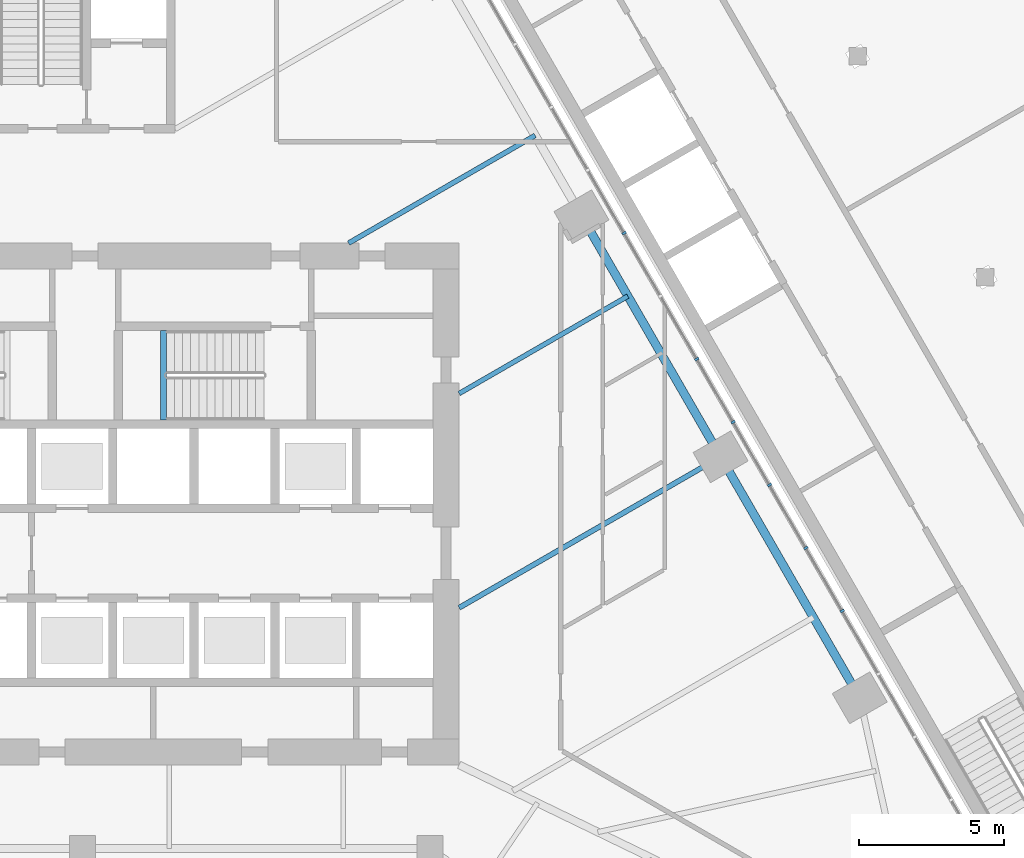
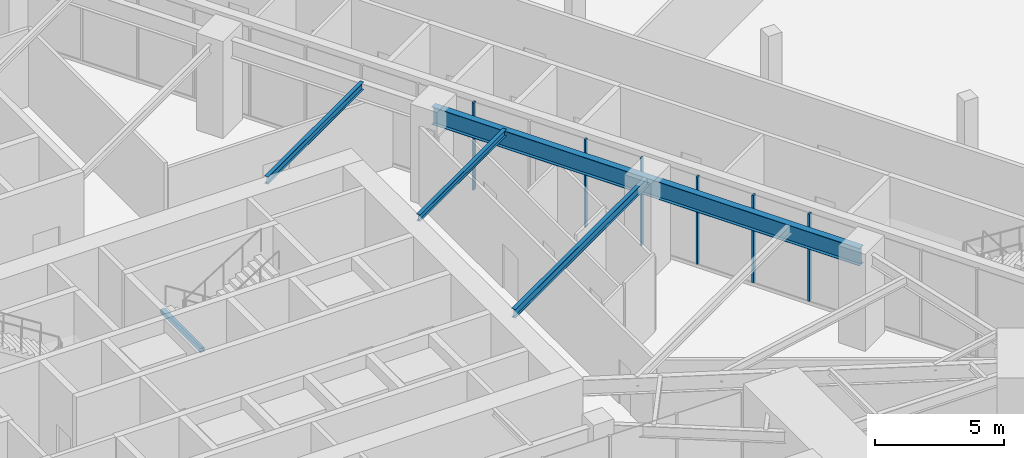
# One storey, part 8 of 29: 6 members, 5 beams, 1 element without a shape of its own.
"""IFC4 building model written with IfcOpenShell, lengths in metres."""

from ifc_helpers import new_model, si_unit, direction, frame, origin, origin_2d, place, context, subcontext, project, spatial, rectangle, i_section, extrude, material, layer, layer_set, material_profile, profile_set, type_object, element, aggregate, save


model = new_model("IFC4")

# Units and contexts
model_context = context("Model", 3, precision=1e-05, world=origin(), true_north=direction((0.0, 1.0)))
body_context = subcontext(model_context, "Body", "Model", "MODEL_VIEW")
ifc_project = project(units=[si_unit("LENGTHUNIT", "METRE"), si_unit("AREAUNIT", "SQUARE_METRE"), si_unit("VOLUMEUNIT", "CUBIC_METRE"), si_unit("PLANEANGLEUNIT", "RADIAN"), si_unit("MASSUNIT", "GRAM", prefix="KILO")], contexts=[model_context])

# Site, building, storey
site_placement = place(None, origin())
site = spatial("IfcSite", under=ifc_project, at=site_placement, CompositionType="ELEMENT")
building_placement = place(site_placement, origin())
building = spatial("IfcBuilding", under=site, at=building_placement, Name="Firuza Gate Tower and Library", CompositionType="ELEMENT")
storey_placement = place(building_placement, frame((0.0, 0.0, 17.199951171875)))
storey = spatial("IfcBuildingStorey", under=building, at=storey_placement, Name="L03", CompositionType="ELEMENT", Elevation=17.199951171875)

# Curtain wall, members
ifc_material_1 = material(Name="Aluminium 6063-T6", Category="aluminium")
ifc_layer = layer(ifc_material_1, 0.14990234375)
ifc_layer_set = layer_set([ifc_layer], Name="Stick curtain wall, podium")
curtain_wall_type = type_object("IfcCurtainWallType", Name="Stick curtain wall, podium", PredefinedType="NOTDEFINED", material=ifc_layer_set)
curtain_wall_placement = place(storey_placement, origin())
curtain_wall = element("IfcCurtainWall", 1, at=curtain_wall_placement, inside=storey, type_object=curtain_wall_type, Name="CW5 L03 E", PredefinedType="NOTDEFINED")
ifc_material_2 = material(Name="Aluminium 6063-T6", Category="aluminium")
ifc_material_profile_1 = material_profile(ifc_material_2, rectangle(XDim=0.14990234375, YDim=0.080078125, at=origin_2d()))
ifc_profile_set_1 = profile_set([ifc_material_profile_1], Name="Aluminium 6063-T6")
member_type = type_object("IfcMemberType", Name="Curtain wall mullion 80x150", PredefinedType="MULLION", material=ifc_profile_set_1)
member_1_placement = place(storey_placement, frame((101.21630859375, 71.311279296875, 0.150146484375), z_axis=(0.0, 0.0, 1.0), x_axis=(-0.866025403784, -0.5, 0.0)))
member_1 = element("IfcMember", 2, at=member_1_placement, type_object=member_type, Name="Mullion", PredefinedType="MULLION", context=body_context, shape_type="SweptSolid", body=[
    extrude(rectangle(XDim=0.14990234375, YDim=0.080078125, at=origin_2d()), origin(), (0.0, 0.0, 1.0), 4.14990234375),
])
member_2_placement = place(storey_placement, frame((99.962158203125, 73.4833984375, 0.150146484375), z_axis=(0.0, 0.0, 1.0), x_axis=(-0.866025403784, -0.5, 0.0)))
member_2 = element("IfcMember", 3, at=member_2_placement, type_object=member_type, Name="Mullion", PredefinedType="MULLION", context=body_context, shape_type="SweptSolid", body=[
    extrude(rectangle(XDim=0.14990234375, YDim=0.080078125, at=origin_2d()), origin(), (0.0, 0.0, 1.0), 4.14990234375),
])
member_3_placement = place(storey_placement, frame((98.708251953125, 75.655517578125, 0.150146484375), z_axis=(0.0, 0.0, 1.0), x_axis=(-0.866025403784, -0.5, 0.0)))
member_3 = element("IfcMember", 4, at=member_3_placement, type_object=member_type, Name="Mullion", PredefinedType="MULLION", context=body_context, shape_type="SweptSolid", body=[
    extrude(rectangle(XDim=0.14990234375, YDim=0.080078125, at=origin_2d()), origin(), (0.0, 0.0, 1.0), 4.14990234375),
])
member_4_placement = place(storey_placement, frame((97.4541015625, 77.827392578125, 0.150146484375), z_axis=(0.0, 0.0, 1.0), x_axis=(-0.866025403784, -0.5, 0.0)))
member_4 = element("IfcMember", 5, at=member_4_placement, type_object=member_type, Name="Mullion", PredefinedType="MULLION", context=body_context, shape_type="SweptSolid", body=[
    extrude(rectangle(XDim=0.14990234375, YDim=0.080078125, at=origin_2d()), origin(), (0.0, 0.0, 1.0), 4.14990234375),
])
member_5_placement = place(storey_placement, frame((96.2001953125, 79.99951171875, 0.150146484375), z_axis=(0.0, 0.0, 1.0), x_axis=(-0.866025403784, -0.5, 0.0)))
member_5 = element("IfcMember", 6, at=member_5_placement, type_object=member_type, Name="Mullion", PredefinedType="MULLION", context=body_context, shape_type="SweptSolid", body=[
    extrude(rectangle(XDim=0.14990234375, YDim=0.080078125, at=origin_2d()), origin(), (0.0, 0.0, 1.0), 4.14990234375),
])
member_6_placement = place(storey_placement, frame((93.69189453125, 84.34375, 0.150146484375), z_axis=(0.0, 0.0, 1.0), x_axis=(-0.866025403784, -0.5, 0.0)))
member_6 = element("IfcMember", 7, at=member_6_placement, type_object=member_type, Name="Mullion", PredefinedType="MULLION", context=body_context, shape_type="SweptSolid", body=[
    extrude(rectangle(XDim=0.14990234375, YDim=0.080078125, at=origin_2d()), origin(), (0.0, 0.0, 1.0), 4.14990234375),
])
aggregate(curtain_wall, [member_1, member_2, member_3, member_4, member_5, member_6])

# Beams
ifc_material_3 = material(Name="Concrete C35/45", Category="concrete")
ifc_material_profile_2 = material_profile(ifc_material_3, rectangle(XDim=0.199951171875, YDim=0.199951171875, at=origin_2d()))
ifc_profile_set_2 = profile_set([ifc_material_profile_2], Name="Concrete C35/45")
beam_type_1 = type_object("IfcBeamType", Name="Stair landing bearer 200x200", PredefinedType="BEAM", material=ifc_profile_set_2)
beam_1_placement = place(storey_placement, frame((77.800048828125, 80.97998046875, 2.0), z_axis=(0.0, -1.0, 0.0), x_axis=(1.0, 0.0, 0.0)))
element("IfcBeam", 8, at=beam_1_placement, inside=storey, type_object=beam_type_1, Name="Landing bearer L03 stair 2", PredefinedType="BEAM", context=body_context, shape_type="SweptSolid", body=[
    extrude(rectangle(XDim=0.199951171875, YDim=0.199951171875, at=origin_2d()), origin(), (0.0, 0.0, 1.0), 3.080078125),
])
ifc_material_4 = material(Name="Steel S355", Category="steel")
ifc_material_profile_3 = material_profile(ifc_material_4, i_section(OverallWidth=0.1650390625, OverallDepth=0.31005859375, WebThickness=0.005859375, FlangeThickness=0.009765625, at=origin_2d()))
ifc_profile_set_3 = profile_set([ifc_material_profile_3], Name="Steel S355")
beam_type_2 = type_object("IfcBeamType", Name="W310x39 Floor beam", PredefinedType="JOIST", material=ifc_profile_set_3)
beam_2_placement = place(storey_placement, frame((93.820556640625, 82.171142578125, 4.14501953125), z_axis=(-0.866019234261, -0.500010685776, 0.0), x_axis=(0.500010685776, -0.866019234261, 0.0)))
element("IfcBeam", 9, at=beam_2_placement, inside=storey, type_object=beam_type_2, Name="Floor beam L03 s72", PredefinedType="JOIST", context=body_context, shape_type="SweptSolid", body=[
    extrude(i_section(OverallWidth=0.1650390625, OverallDepth=0.31005859375, WebThickness=0.005859375, FlangeThickness=0.009765625, at=origin_2d()), origin(), (0.0, 0.0, 1.0), 6.720947265625),
])
ifc_material_5 = material(Name="Steel S355", Category="steel")
ifc_material_profile_4 = material_profile(ifc_material_5, i_section(OverallWidth=0.1708984375, OverallDepth=0.35498046875, WebThickness=0.007080078125, FlangeThickness=0.01171875, at=origin_2d()))
ifc_profile_set_4 = profile_set([ifc_material_profile_4], Name="Steel S355")
beam_type_3 = type_object("IfcBeamType", Name="W360x51 Floor beam", PredefinedType="JOIST", material=ifc_profile_set_4)
beam_3_placement = place(storey_placement, frame((90.62060546875, 87.713623046875, 4.12255859375), z_axis=(-0.866023556141, -0.500003200199, 0.0), x_axis=(0.500003200199, -0.866023556141, 0.0)))
element("IfcBeam", 10, at=beam_3_placement, inside=storey, type_object=beam_type_3, Name="Floor beam L03 s73", PredefinedType="JOIST", context=body_context, shape_type="SweptSolid", body=[
    extrude(i_section(OverallWidth=0.1708984375, OverallDepth=0.35498046875, WebThickness=0.007080078125, FlangeThickness=0.01171875, at=origin_2d()), origin(), (0.0, 0.0, 1.0), 7.42724609375),
])
ifc_material_6 = material(Name="Steel S355", Category="steel")
ifc_material_profile_5 = material_profile(ifc_material_6, i_section(OverallWidth=0.177978515625, OverallDepth=0.406982421875, WebThickness=0.0078125, FlangeThickness=0.0126953125, at=origin_2d()))
ifc_profile_set_5 = profile_set([ifc_material_profile_5], Name="Steel S355")
beam_type_4 = type_object("IfcBeamType", Name="W410x60 Floor beam", PredefinedType="JOIST", material=ifc_profile_set_5)
beam_4_placement = place(storey_placement, frame((97.0205078125, 76.62841796875, 4.096435546875), z_axis=(-0.866024771944, -0.500001094379, 0.0), x_axis=(0.500001094379, -0.866024771944, 0.0)))
element("IfcBeam", 11, at=beam_4_placement, inside=storey, type_object=beam_type_4, Name="Floor beam L03 s71", PredefinedType="JOIST", context=body_context, shape_type="SweptSolid", body=[
    extrude(i_section(OverallWidth=0.177978515625, OverallDepth=0.406982421875, WebThickness=0.0078125, FlangeThickness=0.0126953125, at=origin_2d()), origin(), (0.0, 0.0, 1.0), 10.416015625),
])
ifc_material_7 = material(Name="Steel S355", Category="steel")
ifc_material_profile_6 = material_profile(ifc_material_7, i_section(OverallWidth=0.2919921875, OverallDepth=0.8349609375, WebThickness=0.013916015625, FlangeThickness=0.018798828125, at=origin_2d()))
ifc_profile_set_6 = profile_set([ifc_material_profile_6], Name="Steel S355")
beam_type_5 = type_object("IfcBeamType", Name="W840x176 Edge beam", PredefinedType="SPANDREL", material=ifc_profile_set_6)
beam_5_placement = place(storey_placement, frame((101.820556640625, 68.314697265625, 3.882568359375), z_axis=(-0.500003864429, 0.866023172644, 0.0), x_axis=(-0.866023172644, -0.500003864429, 0.0)))
element("IfcBeam", 12, at=beam_5_placement, inside=storey, type_object=beam_type_5, Name="Edge beam L03 e70", PredefinedType="SPANDREL", context=body_context, shape_type="SweptSolid", body=[
    extrude(i_section(OverallWidth=0.2919921875, OverallDepth=0.8349609375, WebThickness=0.013916015625, FlangeThickness=0.018798828125, at=origin_2d()), origin(), (0.0, 0.0, 1.0), 19.199951171875),
])

save(model, "model.ifc")
